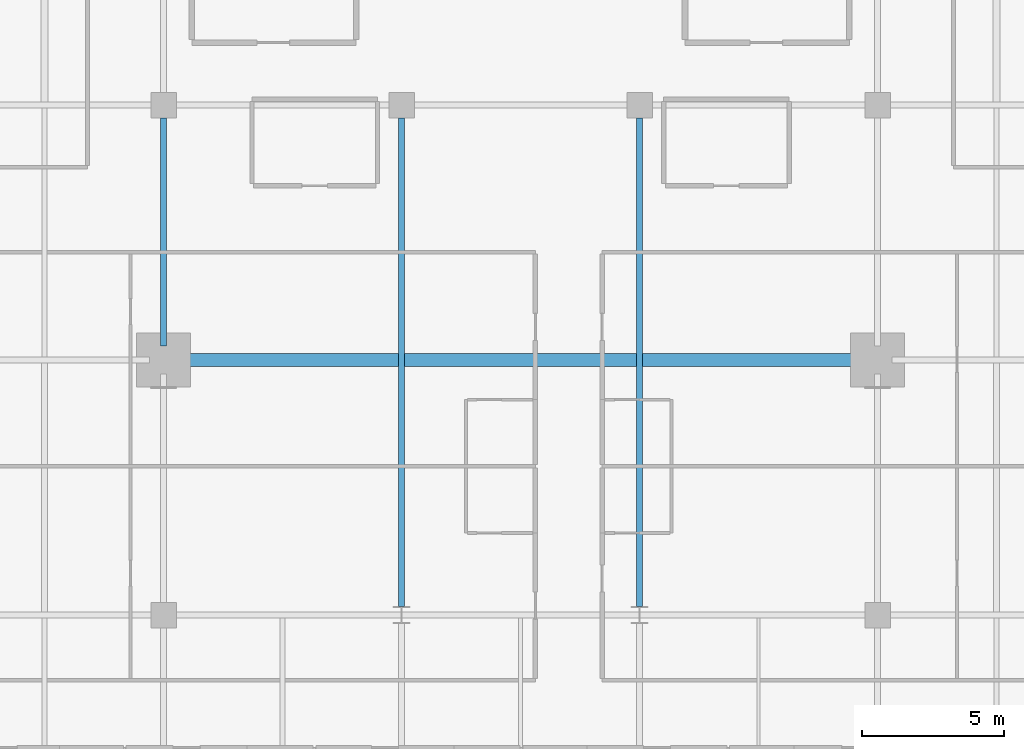
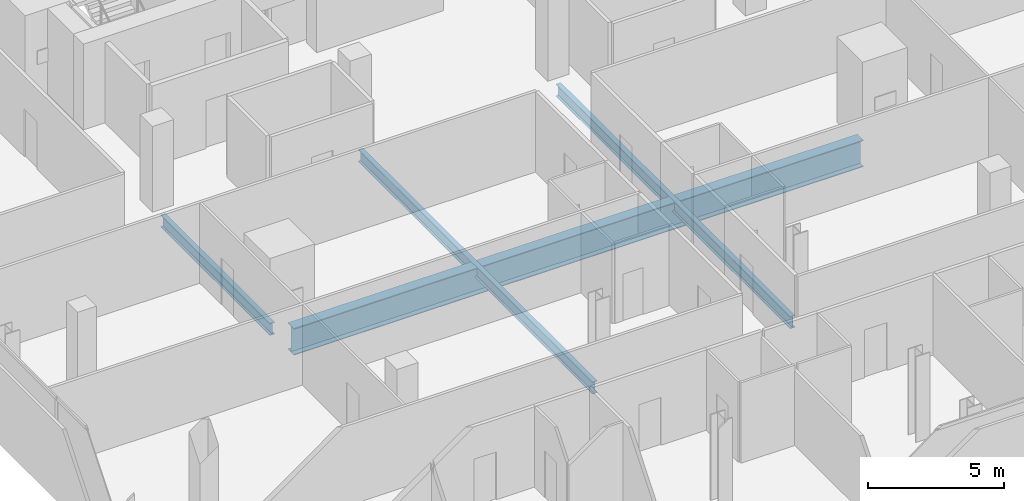
# One storey, part 11 of 33: 4 beams.
"""IFC4 building model written with IfcOpenShell, lengths in metres."""

from ifc_helpers import new_model, si_unit, direction, frame, origin, origin_2d, place, context, subcontext, project, spatial, i_section, extrude, material, material_profile, profile_set, type_object, element, save


model = new_model("IFC4")

# Units and contexts
model_context = context("Model", 3, precision=1e-05, world=origin(), true_north=direction((0.0, 1.0)))
body_context = subcontext(model_context, "Body", "Model", "MODEL_VIEW")
ifc_project = project(units=[si_unit("LENGTHUNIT", "METRE"), si_unit("AREAUNIT", "SQUARE_METRE"), si_unit("VOLUMEUNIT", "CUBIC_METRE"), si_unit("PLANEANGLEUNIT", "RADIAN"), si_unit("MASSUNIT", "GRAM", prefix="KILO")], contexts=[model_context])

# Site, building, storey
site_placement = place(None, origin())
site = spatial("IfcSite", under=ifc_project, at=site_placement, CompositionType="ELEMENT")
building_placement = place(site_placement, origin())
building = spatial("IfcBuilding", under=site, at=building_placement, Name="Maruvema Waterfront Hotel and Observation Tower", CompositionType="ELEMENT")
storey_placement = place(building_placement, frame((0.0, 0.0, 200.550048828125)))
storey = spatial("IfcBuildingStorey", under=building, at=storey_placement, Name="L49", CompositionType="ELEMENT", Elevation=200.550048828125)

# Beams
ifc_material_1 = material(Name="Steel ASTM A572 Grade 50", Category="steel")
ifc_material_profile_1 = material_profile(ifc_material_1, i_section(OverallWidth=0.2109375, OverallDepth=0.5390625, WebThickness=0.01171875, FlangeThickness=0.018798828125, FilletRadius=0.014892578125, at=origin_2d()), Name="W530x109.0")
ifc_profile_set_1 = profile_set([ifc_material_profile_1], Name="Steel ASTM A572 Grade 50")
beam_type_1 = type_object("IfcBeamType", Name="Primary Floor Girder W530x109.0", PredefinedType="BEAM", material=ifc_profile_set_1)
beam_1_placement = place(storey_placement, frame((25.199951171875, 27.5, -0.509521484375), z_axis=(0.0, 1.0, 0.0), x_axis=(-1.0, 0.0, 0.0)))
element("IfcBeam", 1, at=beam_1_placement, inside=storey, type_object=beam_type_1, Name="L49 Floor Girder NS-12", PredefinedType="BEAM", context=body_context, shape_type="SweptSolid", body=[
    extrude(i_section(OverallWidth=0.2109375, OverallDepth=0.5390625, WebThickness=0.01171875, FlangeThickness=0.018798828125, FilletRadius=0.014892578125, at=origin_2d()), origin(), (0.0, 0.0, 1.0), 8.050048828125),
])
for number, where, z_axis, x_axis, name in (
    (2, (33.60009765625, 18.300048828125, -0.509521484375), (0.0, 1.0, 0.0), (-1.0, 0.0, 0.0), "L49 Floor Girder NS-16"),
    (3, (42.0, 18.300048828125, -0.509521484375), (0.0, 1.0, 0.0), (-1.0, 0.0, 0.0), "L49 Floor Girder NS-19"),
):
    element("IfcBeam", number, at=place(storey_placement, frame(where, z_axis=z_axis, x_axis=x_axis)), inside=storey, type_object=beam_type_1, Name=name, PredefinedType="BEAM", context=body_context, shape_type="SweptSolid", body=[
        extrude(i_section(OverallWidth=0.2109375, OverallDepth=0.5390625, WebThickness=0.01171875, FlangeThickness=0.018798828125, FilletRadius=0.014892578125, at=origin_2d()), origin(), (0.0, 0.0, 1.0), 17.25),
    ])
ifc_material_2 = material(Name="Steel ABNT NBR 7007 AR 415 (ASTM A572 Grade 50)", Category="steel")
ifc_material_profile_2 = material_profile(ifc_material_2, i_section(OverallWidth=0.449951171875, OverallDepth=1.199951171875, WebThickness=0.01904296875, FlangeThickness=0.031982421875, at=origin_2d()), Name="VS1200x366")
ifc_profile_set_2 = profile_set([ifc_material_profile_2], Name="Steel ABNT NBR 7007 AR 415 (ASTM A572 Grade 50)")
beam_type_2 = type_object("IfcBeamType", Name="Upper Setback Transfer Girder VS1200x366", PredefinedType="USERDEFINED", material=ifc_profile_set_2)
beam_2_placement = place(storey_placement, frame((25.699951171875, 27.0, -0.840087890625), z_axis=(1.0, 0.0, 0.0), x_axis=(0.0, 1.0, 0.0)))
element("IfcBeam", 4, at=beam_2_placement, inside=storey, type_object=beam_type_2, Name="L49 Floor Girder EW-20", ObjectType="TRANSFER GIRDER", PredefinedType="USERDEFINED", context=body_context, shape_type="SweptSolid", body=[
    extrude(i_section(OverallWidth=0.449951171875, OverallDepth=1.199951171875, WebThickness=0.01904296875, FlangeThickness=0.031982421875, at=origin_2d()), origin(), (0.0, 0.0, 1.0), 24.199951171875),
])

save(model, "model.ifc")
